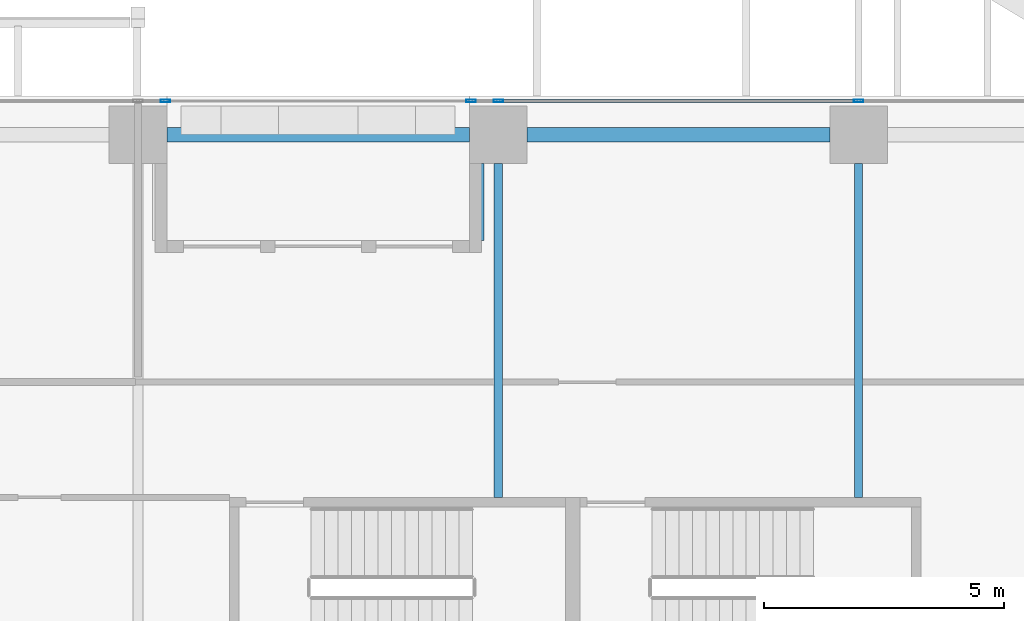
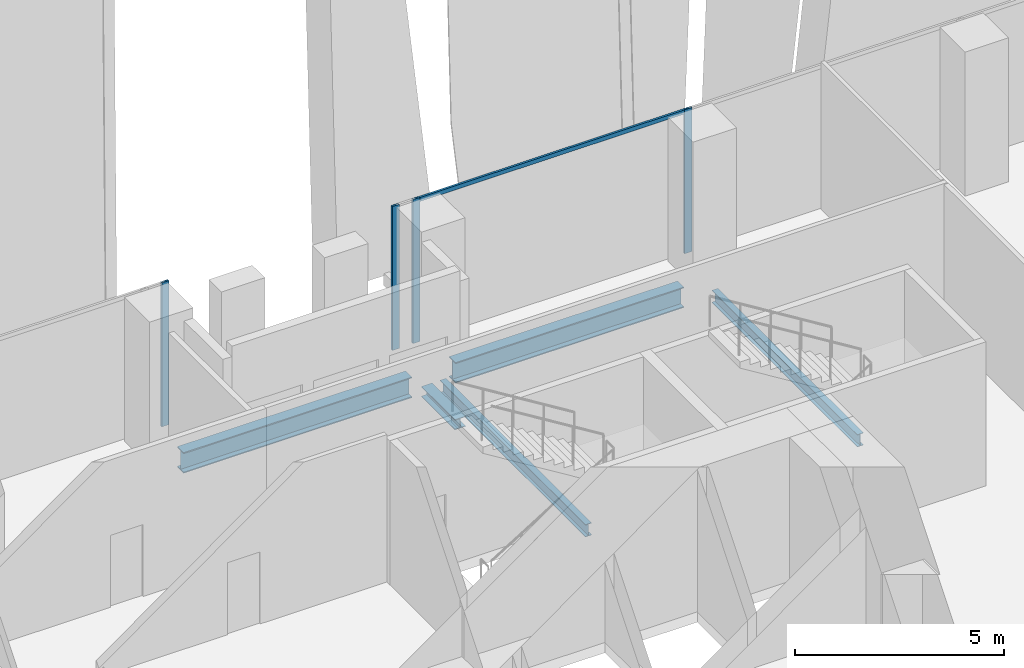
# One storey, part 14 of 34: 5 beams, 5 members, 2 elements without a shape of their own.
"""IFC4 building model written with IfcOpenShell, lengths in metres."""

from ifc_helpers import new_model, si_unit, direction, frame, origin, origin_2d, place, context, subcontext, project, spatial, hollow_rectangle, i_section, extrude, source, transform, mapped, material, material_profile, profile_set, type_object, element, aggregate, save


model = new_model("IFC4")

# Units and contexts
model_context = context("Model", 3, precision=1e-05, world=origin(), true_north=direction((0.0, 1.0)))
body_context = subcontext(model_context, "Body", "Model", "MODEL_VIEW")
ifc_project = project(units=[si_unit("LENGTHUNIT", "METRE"), si_unit("AREAUNIT", "SQUARE_METRE"), si_unit("VOLUMEUNIT", "CUBIC_METRE"), si_unit("PLANEANGLEUNIT", "RADIAN"), si_unit("MASSUNIT", "GRAM", prefix="KILO")], contexts=[model_context])

# Site, building, storey
site_placement = place(None, origin())
site = spatial("IfcSite", under=ifc_project, at=site_placement, CompositionType="ELEMENT")
building_placement = place(site_placement, origin())
building = spatial("IfcBuilding", under=site, at=building_placement, Name="Khomas Fold Tower", CompositionType="ELEMENT")
storey_placement = place(building_placement, frame((0.0, 0.0, 73.5)))
storey = spatial("IfcBuildingStorey", under=building, at=storey_placement, Name="L15", CompositionType="ELEMENT", Elevation=73.5)

# Beams
ifc_material_1 = material(Name="Steel S355", Category="steel")
ifc_material_profile_1 = material_profile(ifc_material_1, i_section(OverallWidth=0.169921875, OverallDepth=0.360107421875, WebThickness=0.008056640625, FlangeThickness=0.0126953125, at=origin_2d()), Name="IPE 360")
ifc_profile_set_1 = profile_set([ifc_material_profile_1], Name="Steel S355")
beam_type_1 = type_object("IfcBeamType", Name="IPE 360 beam JB2", PredefinedType="BEAM", material=ifc_profile_set_1)
shared_shape_1 = source(origin(), body_context, "Body", "SweptSolid", [
    extrude(i_section(OverallWidth=0.169921875, OverallDepth=0.360107421875, WebThickness=0.008056640625, FlangeThickness=0.0126953125, at=origin_2d()), origin(), (0.0, 0.0, 1.0), 6.9501953125),
])
for number, where, z_axis, x_axis, name in (
    (1, (19.5, 45.64990234375, -0.47998046875), (0.0, 1.0, 0.0), (-1.0, 0.0, 0.0), "JB2"),
    (2, (27.0, 45.64990234375, -0.47998046875), (0.0, 1.0, 0.0), (-1.0, 0.0, 0.0), "JB2"),
):
    element("IfcBeam", number, at=place(storey_placement, frame(where, z_axis=z_axis, x_axis=x_axis)), inside=storey, type_object=beam_type_1, Name=name, PredefinedType="BEAM", context=body_context, shape_type="MappedRepresentation", body=[
        mapped(shared_shape_1, transform((0.0, 0.0, 0.0))),
    ])
ifc_material_2 = material(Name="Steel S355", Category="steel")
ifc_material_profile_2 = material_profile(ifc_material_2, i_section(OverallWidth=0.300048828125, OverallDepth=0.60009765625, WebThickness=0.015380859375, FlangeThickness=0.030029296875, at=origin_2d()), Name="HE 600 B")
ifc_profile_set_2 = profile_set([ifc_material_profile_2], Name="Steel S355")
beam_type_2 = type_object("IfcBeamType", Name="HE 600 B spandrel SB1", PredefinedType="SPANDREL", material=ifc_profile_set_2)
shared_shape_2 = source(origin(), body_context, "Body", "SweptSolid", [
    extrude(i_section(OverallWidth=0.300048828125, OverallDepth=0.60009765625, WebThickness=0.015380859375, FlangeThickness=0.030029296875, at=origin_2d()), origin(), (0.0, 0.0, 1.0), 6.2998046875),
])
for number, where, z_axis, x_axis, name in (
    (3, (20.10009765625, 53.199951171875, -0.60009765625), (1.0, 0.0, 0.0), (0.0, 1.0, 0.0), "SB1"),
    (4, (12.60009765625, 53.199951171875, -0.60009765625), (1.0, 0.0, 0.0), (0.0, 1.0, 0.0), "SB1"),
):
    element("IfcBeam", number, at=place(storey_placement, frame(where, z_axis=z_axis, x_axis=x_axis)), inside=storey, type_object=beam_type_2, Name=name, PredefinedType="SPANDREL", context=body_context, shape_type="MappedRepresentation", body=[
        mapped(shared_shape_2, transform((0.0, 0.0, 0.0))),
    ])
ifc_material_3 = material(Name="Steel S355", Category="steel")
ifc_material_profile_3 = material_profile(ifc_material_3, i_section(OverallWidth=0.300048828125, OverallDepth=0.300048828125, WebThickness=0.010986328125, FlangeThickness=0.01904296875, at=origin_2d()), Name="HE 300 B")
ifc_profile_set_3 = profile_set([ifc_material_profile_3], Name="Steel S355")
beam_type_3 = type_object("IfcBeamType", Name="HE 300 B beam BB1", PredefinedType="BEAM", material=ifc_profile_set_3)
shared_shape_3 = source(origin(), body_context, "Body", "SweptSolid", [
    extrude(i_section(OverallWidth=0.300048828125, OverallDepth=0.300048828125, WebThickness=0.010986328125, FlangeThickness=0.01904296875, at=origin_2d()), origin(), (0.0, 0.0, 1.0), 1.60009765625),
])
beam_placement = place(storey_placement, frame((19.050048828125, 51.0, -0.449951171875), z_axis=(0.0, 1.0, 0.0), x_axis=(-1.0, 0.0, 0.0)))
element("IfcBeam", 5, at=beam_placement, inside=storey, type_object=beam_type_3, Name="BB1", PredefinedType="BEAM", context=body_context, shape_type="MappedRepresentation", body=[
    mapped(shared_shape_3, transform((0.0, 0.0, 0.0))),
])

# Curtain wall, members
ifc_material_4 = material(Name="Aluminium framed double glazing", Category="aluminium")
curtain_wall_type = type_object("IfcCurtainWallType", Name="SK-Unitised clear-glass wall, growing floors CW1", PredefinedType="NOTDEFINED", material=ifc_material_4)
curtain_wall_1_placement = place(storey_placement, origin())
curtain_wall_1 = element("IfcCurtainWall", 6, at=curtain_wall_1_placement, inside=storey, type_object=curtain_wall_type, Name="CW1 run L15 06-0", PredefinedType="NOTDEFINED")
ifc_material_5 = material(Name="Aluminium", Category="aluminium")
ifc_material_profile_4 = material_profile(ifc_material_5, hollow_rectangle(XDim=0.06005859375, YDim=0.1201171875, WallThickness=0.00390625, at=origin_2d()), Name="SK-Unitised clear-glass wall, growing floors transom CW1-T")
ifc_profile_set_4 = profile_set([ifc_material_profile_4], Name="Aluminium")
member_type_1 = type_object("IfcMemberType", Name="SK-Unitised clear-glass wall, growing floors transom CW1-T", PredefinedType="USERDEFINED", material=ifc_profile_set_4)
shared_shape_4 = source(origin(), body_context, "Body", "SweptSolid", [
    extrude(hollow_rectangle(XDim=0.06005859375, YDim=0.1201171875, WallThickness=0.00390625, at=origin_2d()), origin(), (0.0, 0.0, 1.0), 7.43994140625),
])
member_1_placement = place(storey_placement, frame((26.969970703125, 53.89990234375, 4.139892578125), z_axis=(-1.0, 0.0, 0.0), x_axis=(0.0, -1.0, 0.0)))
member_1 = element("IfcMember", 7, at=member_1_placement, type_object=member_type_1, Name="CW1 transom 5", ObjectType="TRANSOM", PredefinedType="USERDEFINED", context=body_context, shape_type="MappedRepresentation", body=[
    mapped(shared_shape_4, transform((0.0, 0.0, 0.0))),
])
ifc_material_6 = material(Name="Aluminium", Category="aluminium")
ifc_material_profile_5 = material_profile(ifc_material_6, hollow_rectangle(XDim=0.06005859375, YDim=0.199951171875, WallThickness=0.00390625, at=origin_2d()), Name="SK-Unitised clear-glass wall, growing floors mullion CW1-M")
ifc_profile_set_5 = profile_set([ifc_material_profile_5], Name="Aluminium")
member_type_2 = type_object("IfcMemberType", Name="SK-Unitised clear-glass wall, growing floors mullion CW1-M", PredefinedType="MULLION", material=ifc_profile_set_5)
shared_shape_5 = source(origin(), body_context, "Body", "SweptSolid", [
    extrude(hollow_rectangle(XDim=0.06005859375, YDim=0.199951171875, WallThickness=0.00390625, at=origin_2d()), origin(), (0.0, 0.0, 1.0), 4.199951171875),
])
member_2_placement = place(storey_placement, frame((27.0, 53.89990234375, 0.0), z_axis=(0.0, 0.0, 1.0), x_axis=(0.0, -1.0, 0.0)))
member_2 = element("IfcMember", 8, at=member_2_placement, type_object=member_type_2, Name="CW1 mullion 5", PredefinedType="MULLION", context=body_context, shape_type="MappedRepresentation", body=[
    mapped(shared_shape_5, transform((0.0, 0.0, 0.0))),
])
member_3_placement = place(storey_placement, frame((19.5, 53.89990234375, 0.0), z_axis=(0.0, 0.0, 1.0), x_axis=(0.0, -1.0, 0.0)))
member_3 = element("IfcMember", 9, at=member_3_placement, type_object=member_type_2, Name="CW1 mullion 6", PredefinedType="MULLION", context=body_context, shape_type="MappedRepresentation", body=[
    mapped(shared_shape_5, transform((0.0, 0.0, 0.0))),
])
member_4_placement = place(storey_placement, frame((18.929931640625, 53.89990234375, 0.0), z_axis=(0.0, 0.0, 1.0), x_axis=(0.0, -1.0, 0.0)))
member_4 = element("IfcMember", 10, at=member_4_placement, type_object=member_type_2, Name="CW1 mullion 7", PredefinedType="MULLION", context=body_context, shape_type="MappedRepresentation", body=[
    mapped(shared_shape_5, transform((0.0, 0.0, 0.0))),
])
aggregate(curtain_wall_1, [member_2, member_3, member_4, member_1])

# Curtain wall, member
curtain_wall_2_placement = place(storey_placement, origin())
curtain_wall_2 = element("IfcCurtainWall", 11, at=curtain_wall_2_placement, inside=storey, type_object=curtain_wall_type, Name="CW1 run L15 06-1", PredefinedType="NOTDEFINED")
member_5_placement = place(storey_placement, frame((12.570068359375, 53.89990234375, 0.0), z_axis=(0.0, 0.0, 1.0), x_axis=(0.0, -1.0, 0.0)))
member_5 = element("IfcMember", 12, at=member_5_placement, type_object=member_type_2, Name="CW1 mullion 1", PredefinedType="MULLION", context=body_context, shape_type="MappedRepresentation", body=[
    mapped(shared_shape_5, transform((0.0, 0.0, 0.0))),
])
aggregate(curtain_wall_2, [member_5])

save(model, "model.ifc")
